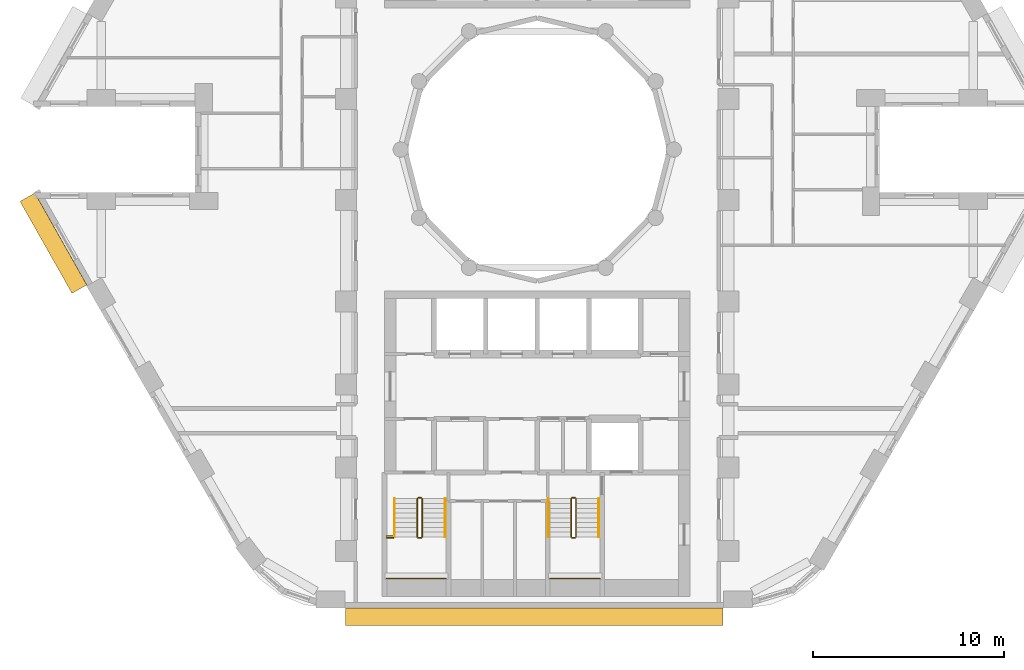
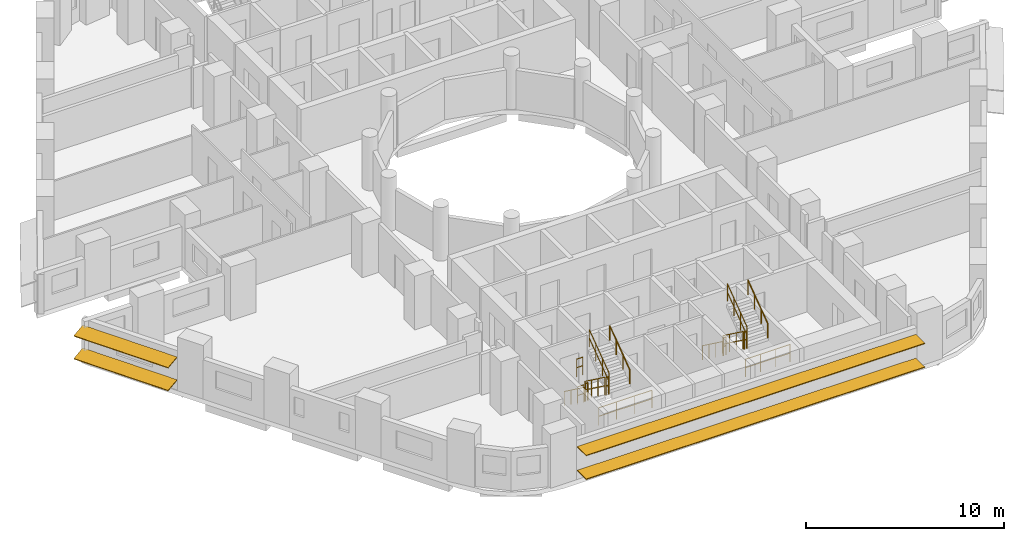
# One storey, part 11 of 13: 16 railings, 4 shading devices.
"""IFC4 building model written with IfcOpenShell, lengths in metres."""

from ifc_helpers import new_model, si_unit, direction, frame, origin, origin_2d, place, context, subcontext, project, spatial, rectangle, circle, extrude, material, material_profile, profile_set, type_object, element, save


model = new_model("IFC4")

# Units and contexts
model_context = context("Model", 3, precision=1e-05, world=origin(), true_north=direction((0.0, 1.0)))
body_context = subcontext(model_context, "Body", "Model", "MODEL_VIEW")
ifc_project = project(units=[si_unit("LENGTHUNIT", "METRE"), si_unit("AREAUNIT", "SQUARE_METRE"), si_unit("VOLUMEUNIT", "CUBIC_METRE"), si_unit("PLANEANGLEUNIT", "RADIAN"), si_unit("MASSUNIT", "GRAM", prefix="KILO")], contexts=[model_context])

# Site, building, storey
site_placement = place(None, origin())
site = spatial("IfcSite", under=ifc_project, at=site_placement, CompositionType="ELEMENT")
building_placement = place(site_placement, origin())
building = spatial("IfcBuilding", under=site, at=building_placement, Name="Nakaniwa Court", CompositionType="ELEMENT")
storey_placement = place(building_placement, frame((0.0, 0.0, 64.5)))
storey = spatial("IfcBuildingStorey", under=building, at=storey_placement, Name="L17", CompositionType="ELEMENT", Elevation=64.5)

# Shading devices
ifc_material_1 = material(Name="Perforated charcoal ceramic louvre blade")
ifc_material_profile = material_profile(ifc_material_1, rectangle(XDim=0.89990234375, YDim=0.050048828125, at=origin_2d()), Name="Perforated ceramic louvre blade")
ifc_profile_set = profile_set([ifc_material_profile], Name="Perforated charcoal ceramic louvre blade")
shading_device_type = type_object("IfcShadingDeviceType", Name="Perforated ceramic louvre blade", PredefinedType="JALOUSIE", material=ifc_profile_set)
for number, where, z_axis, x_axis, name in (
    (1, (53.31689453125, 77.508056640625, 0.550048828125), (0.492342539441, -0.870401530247, 0.0), (0.86275552304, 0.488017576221, 0.132256390257), "L17 perforated ceramic louvre blade w20 1"),
    (2, (53.31689453125, 77.508056640625, 1.955810546875), (0.492342539441, -0.870401530247, 0.0), (0.86275552304, 0.488017576221, 0.132256390257), "L17 perforated ceramic louvre blade w20 2"),
):
    element("IfcShadingDevice", number, at=place(storey_placement, frame(where, z_axis=z_axis, x_axis=x_axis)), inside=storey, type_object=shading_device_type, Name=name, PredefinedType="JALOUSIE", context=body_context, shape_type="SweptSolid", body=[
        extrude(rectangle(XDim=0.89990234375, YDim=0.050048828125, at=origin_2d()), origin(), (0.0, 0.0, 1.0), 5.526611328125),
    ])
for number, where, z_axis, x_axis, name in (
    (3, (69.97119140625, 55.550048828125, 0.550048828125), (1.0, 0.0, 0.0), (0.0, 1.0, 0.0), "L17 perforated ceramic louvre blade w26 1"),
    (4, (69.97119140625, 55.550048828125, 2.014892578125), (1.0, 0.0, 0.0), (0.0, 1.0, 0.0), "L17 perforated ceramic louvre blade w26 2"),
):
    element("IfcShadingDevice", number, at=place(storey_placement, frame(where, z_axis=z_axis, x_axis=x_axis)), inside=storey, type_object=shading_device_type, Name=name, PredefinedType="JALOUSIE", context=body_context, shape_type="SweptSolid", body=[
        extrude(rectangle(XDim=0.89990234375, YDim=0.050048828125, at=origin_2d()), origin(), (0.0, 0.0, 1.0), 19.739990234375),
    ])

# Railings
ifc_material_2 = material(Name="Black powder coated steel guard", Category="steel")
railing_type_1 = type_object("IfcRailingType", Name="Stair guard 1100", PredefinedType="GUARDRAIL", material=ifc_material_2)
railing_1_placement = place(storey_placement, frame((73.72509765625, 61.72509765625, 0.183349609375)))
element("IfcRailing", 5, at=railing_1_placement, inside=storey, type_object=railing_type_1, Name="L17 ST3 stair guard 1", PredefinedType="GUARDRAIL", context=body_context, shape_type="SweptSolid", body=[
    extrude(circle(Radius=0.02392578125, at=origin_2d()), frame((0.0, 0.0, 1.076171875), z_axis=(0.0, -0.806426902644, 0.591333789573), x_axis=(1.0, 0.0, 0.0)), (0.0, 0.0, 1.0), 2.47998046875),
    extrude(circle(Radius=0.02392578125, at=origin_2d()), frame((0.0, 0.0, 0.550048828125), z_axis=(0.0, -0.806426902644, 0.591333789573), x_axis=(1.0, 0.0, 0.0)), (0.0, 0.0, 1.0), 2.47998046875),
    extrude(circle(Radius=0.02099609375, at=origin_2d()), origin(), (0.0, 0.0, 1.0), 1.052001953125),
    extrude(circle(Radius=0.02099609375, at=origin_2d()), frame((0.0, -0.666748046875, 0.48876953125)), (0.0, 0.0, 1.0), 1.052001953125),
    extrude(circle(Radius=0.02099609375, at=origin_2d()), frame((0.0, -1.333251953125, 0.977783203125)), (0.0, 0.0, 1.0), 1.052001953125),
    extrude(circle(Radius=0.02099609375, at=origin_2d()), frame((0.0, -2.0, 1.466552734375)), (0.0, 0.0, 1.0), 1.052001953125),
])
railing_2_placement = place(storey_placement, frame((73.77490234375, 59.675048828125, 1.64990234375)))
element("IfcRailing", 6, at=railing_2_placement, inside=storey, type_object=railing_type_1, Name="L17 ST3 stair guard 2", PredefinedType="GUARDRAIL", context=body_context, shape_type="SweptSolid", body=[
    extrude(circle(Radius=0.02392578125, at=origin_2d()), frame((0.0, 0.0, 1.076171875), z_axis=(1.0, 0.0, 0.0), x_axis=(0.0, 1.0, 0.0)), (0.0, 0.0, 1.0), 0.150146484375),
    extrude(circle(Radius=0.02392578125, at=origin_2d()), frame((0.0, 0.0, 0.550048828125), z_axis=(1.0, 0.0, 0.0), x_axis=(0.0, 1.0, 0.0)), (0.0, 0.0, 1.0), 0.150146484375),
    extrude(circle(Radius=0.02099609375, at=origin_2d()), origin(), (0.0, 0.0, 1.0), 1.052001953125),
    extrude(circle(Radius=0.02099609375, at=origin_2d()), frame((0.150146484375, 0.0, 0.0)), (0.0, 0.0, 1.0), 1.052001953125),
])
railing_3_placement = place(storey_placement, frame((73.97509765625, 59.72509765625, 1.833251953125)))
element("IfcRailing", 7, at=railing_3_placement, inside=storey, type_object=railing_type_1, Name="L17 ST3 stair guard 3", PredefinedType="GUARDRAIL", context=body_context, shape_type="SweptSolid", body=[
    extrude(circle(Radius=0.02392578125, at=origin_2d()), frame((0.0, 0.0, 1.076171875), z_axis=(0.0, 0.806379959628, 0.591397802423), x_axis=(-1.0, 0.0, 0.0)), (0.0, 0.0, 1.0), 2.480224609375),
    extrude(circle(Radius=0.02392578125, at=origin_2d()), frame((0.0, 0.0, 0.550048828125), z_axis=(0.0, 0.806379959628, 0.591397802423), x_axis=(-1.0, 0.0, 0.0)), (0.0, 0.0, 1.0), 2.480224609375),
    extrude(circle(Radius=0.02099609375, at=origin_2d()), origin(), (0.0, 0.0, 1.0), 1.052001953125),
    extrude(circle(Radius=0.02099609375, at=origin_2d()), frame((0.0, 0.666748046875, 0.489013671875)), (0.0, 0.0, 1.0), 1.052001953125),
    extrude(circle(Radius=0.02099609375, at=origin_2d()), frame((0.0, 1.333251953125, 0.977783203125)), (0.0, 0.0, 1.0), 1.052001953125),
    extrude(circle(Radius=0.02099609375, at=origin_2d()), frame((0.0, 2.0, 1.466796875)), (0.0, 0.0, 1.0), 1.052001953125),
])
railing_4_placement = place(storey_placement, frame((73.77490234375, 61.77490234375, 0.0)))
element("IfcRailing", 8, at=railing_4_placement, inside=storey, type_object=railing_type_1, Name="L17 ST3 stair guard 4", PredefinedType="GUARDRAIL", context=body_context, shape_type="SweptSolid", body=[
    extrude(circle(Radius=0.02392578125, at=origin_2d()), frame((0.0, 0.0, 1.076171875), z_axis=(1.0, 0.0, 0.0), x_axis=(0.0, 1.0, 0.0)), (0.0, 0.0, 1.0), 0.150146484375),
    extrude(circle(Radius=0.02392578125, at=origin_2d()), frame((0.0, 0.0, 0.550048828125), z_axis=(1.0, 0.0, 0.0), x_axis=(0.0, 1.0, 0.0)), (0.0, 0.0, 1.0), 0.150146484375),
    extrude(circle(Radius=0.02099609375, at=origin_2d()), origin(), (0.0, 0.0, 1.0), 1.052001953125),
    extrude(circle(Radius=0.02099609375, at=origin_2d()), frame((0.150146484375, 0.0, 0.0)), (0.0, 0.0, 1.0), 1.052001953125),
])
railing_5_placement = place(storey_placement, frame((72.125, 57.550048828125, 1.64990234375)))
element("IfcRailing", 9, at=railing_5_placement, inside=storey, type_object=railing_type_1, Name="L17 ST3 landing end guard 1", PredefinedType="GUARDRAIL", context=body_context, shape_type="SweptSolid", body=[
    extrude(circle(Radius=0.02392578125, at=origin_2d()), frame((0.0, 0.0, 1.076171875), z_axis=(1.0, 0.0, 0.0), x_axis=(0.0, 1.0, 0.0)), (0.0, 0.0, 1.0), 3.10009765625),
    extrude(circle(Radius=0.02392578125, at=origin_2d()), frame((0.0, 0.0, 0.550048828125), z_axis=(1.0, 0.0, 0.0), x_axis=(0.0, 1.0, 0.0)), (0.0, 0.0, 1.0), 3.10009765625),
    extrude(circle(Radius=0.02099609375, at=origin_2d()), origin(), (0.0, 0.0, 1.0), 1.052001953125),
    extrude(circle(Radius=0.02099609375, at=origin_2d()), frame((1.033447265625, 0.0, 0.0)), (0.0, 0.0, 1.0), 1.052001953125),
    extrude(circle(Radius=0.02099609375, at=origin_2d()), frame((2.066650390625, 0.0, 0.0)), (0.0, 0.0, 1.0), 1.052001953125),
    extrude(circle(Radius=0.02099609375, at=origin_2d()), frame((3.10009765625, 0.0, 0.0)), (0.0, 0.0, 1.0), 1.052001953125),
])
for number, where, name in (
    (10, (72.125, 59.675048828125, 1.64990234375), "L17 ST3 landing side guard 1W"),
    (11, (72.125, 59.77490234375, 3.300048828125), "L17 ST3 floor edge guard 1W"),
):
    element("IfcRailing", number, at=place(storey_placement, frame(where)), inside=storey, type_object=railing_type_1, Name=name, PredefinedType="GUARDRAIL", context=body_context, shape_type="SweptSolid", body=[
        extrude(circle(Radius=0.02392578125, at=origin_2d()), frame((0.0, 0.0, 1.076171875), z_axis=(1.0, 0.0, 0.0), x_axis=(0.0, 1.0, 0.0)), (0.0, 0.0, 1.0), 0.35009765625),
        extrude(circle(Radius=0.02392578125, at=origin_2d()), frame((0.0, 0.0, 0.550048828125), z_axis=(1.0, 0.0, 0.0), x_axis=(0.0, 1.0, 0.0)), (0.0, 0.0, 1.0), 0.35009765625),
        extrude(circle(Radius=0.02099609375, at=origin_2d()), origin(), (0.0, 0.0, 1.0), 1.052001953125),
        extrude(circle(Radius=0.02099609375, at=origin_2d()), frame((0.35009765625, 0.0, 0.0)), (0.0, 0.0, 1.0), 1.052001953125),
    ])
railing_6_placement = place(storey_placement, frame((81.77490234375, 61.72509765625, 0.183349609375)))
element("IfcRailing", 12, at=railing_6_placement, inside=storey, type_object=railing_type_1, Name="L17 ST4 stair guard 1", PredefinedType="GUARDRAIL", context=body_context, shape_type="SweptSolid", body=[
    extrude(circle(Radius=0.02392578125, at=origin_2d()), frame((0.0, 0.0, 1.076171875), z_axis=(0.0, -0.806426902644, 0.591333789573), x_axis=(1.0, 0.0, 0.0)), (0.0, 0.0, 1.0), 2.47998046875),
    extrude(circle(Radius=0.02392578125, at=origin_2d()), frame((0.0, 0.0, 0.550048828125), z_axis=(0.0, -0.806426902644, 0.591333789573), x_axis=(1.0, 0.0, 0.0)), (0.0, 0.0, 1.0), 2.47998046875),
    extrude(circle(Radius=0.02099609375, at=origin_2d()), origin(), (0.0, 0.0, 1.0), 1.052001953125),
    extrude(circle(Radius=0.02099609375, at=origin_2d()), frame((0.0, -0.666748046875, 0.48876953125)), (0.0, 0.0, 1.0), 1.052001953125),
    extrude(circle(Radius=0.02099609375, at=origin_2d()), frame((0.0, -1.333251953125, 0.977783203125)), (0.0, 0.0, 1.0), 1.052001953125),
    extrude(circle(Radius=0.02099609375, at=origin_2d()), frame((0.0, -2.0, 1.466552734375)), (0.0, 0.0, 1.0), 1.052001953125),
])
railing_7_placement = place(storey_placement, frame((81.824951171875, 59.675048828125, 1.64990234375)))
element("IfcRailing", 13, at=railing_7_placement, inside=storey, type_object=railing_type_1, Name="L17 ST4 stair guard 2", PredefinedType="GUARDRAIL", context=body_context, shape_type="SweptSolid", body=[
    extrude(circle(Radius=0.02392578125, at=origin_2d()), frame((0.0, 0.0, 1.076171875), z_axis=(1.0, 0.0, 0.0), x_axis=(0.0, 1.0, 0.0)), (0.0, 0.0, 1.0), 0.150146484375),
    extrude(circle(Radius=0.02392578125, at=origin_2d()), frame((0.0, 0.0, 0.550048828125), z_axis=(1.0, 0.0, 0.0), x_axis=(0.0, 1.0, 0.0)), (0.0, 0.0, 1.0), 0.150146484375),
    extrude(circle(Radius=0.02099609375, at=origin_2d()), origin(), (0.0, 0.0, 1.0), 1.052001953125),
    extrude(circle(Radius=0.02099609375, at=origin_2d()), frame((0.150146484375, 0.0, 0.0)), (0.0, 0.0, 1.0), 1.052001953125),
])
railing_8_placement = place(storey_placement, frame((82.02490234375, 59.72509765625, 1.833251953125)))
element("IfcRailing", 14, at=railing_8_placement, inside=storey, type_object=railing_type_1, Name="L17 ST4 stair guard 3", PredefinedType="GUARDRAIL", context=body_context, shape_type="SweptSolid", body=[
    extrude(circle(Radius=0.02392578125, at=origin_2d()), frame((0.0, 0.0, 1.076171875), z_axis=(0.0, 0.806379959628, 0.591397802423), x_axis=(-1.0, 0.0, 0.0)), (0.0, 0.0, 1.0), 2.480224609375),
    extrude(circle(Radius=0.02392578125, at=origin_2d()), frame((0.0, 0.0, 0.550048828125), z_axis=(0.0, 0.806379959628, 0.591397802423), x_axis=(-1.0, 0.0, 0.0)), (0.0, 0.0, 1.0), 2.480224609375),
    extrude(circle(Radius=0.02099609375, at=origin_2d()), origin(), (0.0, 0.0, 1.0), 1.052001953125),
    extrude(circle(Radius=0.02099609375, at=origin_2d()), frame((0.0, 0.666748046875, 0.489013671875)), (0.0, 0.0, 1.0), 1.052001953125),
    extrude(circle(Radius=0.02099609375, at=origin_2d()), frame((0.0, 1.333251953125, 0.977783203125)), (0.0, 0.0, 1.0), 1.052001953125),
    extrude(circle(Radius=0.02099609375, at=origin_2d()), frame((0.0, 2.0, 1.466796875)), (0.0, 0.0, 1.0), 1.052001953125),
])
railing_9_placement = place(storey_placement, frame((81.824951171875, 61.77490234375, 0.0)))
element("IfcRailing", 15, at=railing_9_placement, inside=storey, type_object=railing_type_1, Name="L17 ST4 stair guard 4", PredefinedType="GUARDRAIL", context=body_context, shape_type="SweptSolid", body=[
    extrude(circle(Radius=0.02392578125, at=origin_2d()), frame((0.0, 0.0, 1.076171875), z_axis=(1.0, 0.0, 0.0), x_axis=(0.0, 1.0, 0.0)), (0.0, 0.0, 1.0), 0.150146484375),
    extrude(circle(Radius=0.02392578125, at=origin_2d()), frame((0.0, 0.0, 0.550048828125), z_axis=(1.0, 0.0, 0.0), x_axis=(0.0, 1.0, 0.0)), (0.0, 0.0, 1.0), 0.150146484375),
    extrude(circle(Radius=0.02099609375, at=origin_2d()), origin(), (0.0, 0.0, 1.0), 1.052001953125),
    extrude(circle(Radius=0.02099609375, at=origin_2d()), frame((0.150146484375, 0.0, 0.0)), (0.0, 0.0, 1.0), 1.052001953125),
])
railing_10_placement = place(storey_placement, frame((80.675048828125, 57.550048828125, 1.64990234375)))
element("IfcRailing", 16, at=railing_10_placement, inside=storey, type_object=railing_type_1, Name="L17 ST4 landing end guard 1", PredefinedType="GUARDRAIL", context=body_context, shape_type="SweptSolid", body=[
    extrude(circle(Radius=0.02392578125, at=origin_2d()), frame((0.0, 0.0, 1.076171875), z_axis=(1.0, 0.0, 0.0), x_axis=(0.0, 1.0, 0.0)), (0.0, 0.0, 1.0), 2.599853515625),
    extrude(circle(Radius=0.02392578125, at=origin_2d()), frame((0.0, 0.0, 0.550048828125), z_axis=(1.0, 0.0, 0.0), x_axis=(0.0, 1.0, 0.0)), (0.0, 0.0, 1.0), 2.599853515625),
    extrude(circle(Radius=0.02099609375, at=origin_2d()), origin(), (0.0, 0.0, 1.0), 1.052001953125),
    extrude(circle(Radius=0.02099609375, at=origin_2d()), frame((0.86669921875, 0.0, 0.0)), (0.0, 0.0, 1.0), 1.052001953125),
    extrude(circle(Radius=0.02099609375, at=origin_2d()), frame((1.733154296875, 0.0, 0.0)), (0.0, 0.0, 1.0), 1.052001953125),
    extrude(circle(Radius=0.02099609375, at=origin_2d()), frame((2.599853515625, 0.0, 0.0)), (0.0, 0.0, 1.0), 1.052001953125),
])
ifc_material_3 = material(Name="Black powder coated steel handrail", Category="steel")
railing_type_2 = type_object("IfcRailingType", Name="Stair handrail 900", PredefinedType="HANDRAIL", material=ifc_material_3)
railing_11_placement = place(storey_placement, frame((72.52490234375, 61.72509765625, 0.183349609375)))
element("IfcRailing", 17, at=railing_11_placement, inside=storey, type_object=railing_type_2, Name="L17 ST3 stair handrail 1", PredefinedType="HANDRAIL", context=body_context, shape_type="SweptSolid", body=[
    extrude(circle(Radius=0.02392578125, at=origin_2d()), frame((0.0, 0.0, 0.8759765625), z_axis=(0.0, -0.806426902644, 0.591333789573), x_axis=(1.0, 0.0, 0.0)), (0.0, 0.0, 1.0), 2.47998046875),
    extrude(circle(Radius=0.02099609375, at=origin_2d()), origin(), (0.0, 0.0, 1.0), 0.851806640625),
    extrude(circle(Radius=0.02099609375, at=origin_2d()), frame((0.0, -0.666748046875, 0.48876953125)), (0.0, 0.0, 1.0), 0.851806640625),
    extrude(circle(Radius=0.02099609375, at=origin_2d()), frame((0.0, -1.333251953125, 0.977783203125)), (0.0, 0.0, 1.0), 0.851806640625),
    extrude(circle(Radius=0.02099609375, at=origin_2d()), frame((0.0, -2.0, 1.466552734375)), (0.0, 0.0, 1.0), 0.851806640625),
])
railing_12_placement = place(storey_placement, frame((75.175048828125, 59.72509765625, 1.833251953125)))
element("IfcRailing", 18, at=railing_12_placement, inside=storey, type_object=railing_type_2, Name="L17 ST3 stair handrail 2", PredefinedType="HANDRAIL", context=body_context, shape_type="SweptSolid", body=[
    extrude(circle(Radius=0.02392578125, at=origin_2d()), frame((0.0, 0.0, 0.8759765625), z_axis=(0.0, 0.806379959628, 0.591397802423), x_axis=(-1.0, 0.0, 0.0)), (0.0, 0.0, 1.0), 2.480224609375),
    extrude(circle(Radius=0.02099609375, at=origin_2d()), origin(), (0.0, 0.0, 1.0), 0.851806640625),
    extrude(circle(Radius=0.02099609375, at=origin_2d()), frame((0.0, 0.666748046875, 0.489013671875)), (0.0, 0.0, 1.0), 0.851806640625),
    extrude(circle(Radius=0.02099609375, at=origin_2d()), frame((0.0, 1.333251953125, 0.977783203125)), (0.0, 0.0, 1.0), 0.851806640625),
    extrude(circle(Radius=0.02099609375, at=origin_2d()), frame((0.0, 2.0, 1.466796875)), (0.0, 0.0, 1.0), 0.851806640625),
])
railing_13_placement = place(storey_placement, frame((80.574951171875, 61.72509765625, 0.183349609375)))
element("IfcRailing", 19, at=railing_13_placement, inside=storey, type_object=railing_type_2, Name="L17 ST4 stair handrail 1", PredefinedType="HANDRAIL", context=body_context, shape_type="SweptSolid", body=[
    extrude(circle(Radius=0.02392578125, at=origin_2d()), frame((0.0, 0.0, 0.8759765625), z_axis=(0.0, -0.806426902644, 0.591333789573), x_axis=(1.0, 0.0, 0.0)), (0.0, 0.0, 1.0), 2.47998046875),
    extrude(circle(Radius=0.02099609375, at=origin_2d()), origin(), (0.0, 0.0, 1.0), 0.851806640625),
    extrude(circle(Radius=0.02099609375, at=origin_2d()), frame((0.0, -0.666748046875, 0.48876953125)), (0.0, 0.0, 1.0), 0.851806640625),
    extrude(circle(Radius=0.02099609375, at=origin_2d()), frame((0.0, -1.333251953125, 0.977783203125)), (0.0, 0.0, 1.0), 0.851806640625),
    extrude(circle(Radius=0.02099609375, at=origin_2d()), frame((0.0, -2.0, 1.466552734375)), (0.0, 0.0, 1.0), 0.851806640625),
])
railing_14_placement = place(storey_placement, frame((83.22509765625, 59.72509765625, 1.833251953125)))
element("IfcRailing", 20, at=railing_14_placement, inside=storey, type_object=railing_type_2, Name="L17 ST4 stair handrail 2", PredefinedType="HANDRAIL", context=body_context, shape_type="SweptSolid", body=[
    extrude(circle(Radius=0.02392578125, at=origin_2d()), frame((0.0, 0.0, 0.8759765625), z_axis=(0.0, 0.806379959628, 0.591397802423), x_axis=(-1.0, 0.0, 0.0)), (0.0, 0.0, 1.0), 2.480224609375),
    extrude(circle(Radius=0.02099609375, at=origin_2d()), origin(), (0.0, 0.0, 1.0), 0.851806640625),
    extrude(circle(Radius=0.02099609375, at=origin_2d()), frame((0.0, 0.666748046875, 0.489013671875)), (0.0, 0.0, 1.0), 0.851806640625),
    extrude(circle(Radius=0.02099609375, at=origin_2d()), frame((0.0, 1.333251953125, 0.977783203125)), (0.0, 0.0, 1.0), 0.851806640625),
    extrude(circle(Radius=0.02099609375, at=origin_2d()), frame((0.0, 2.0, 1.466796875)), (0.0, 0.0, 1.0), 0.851806640625),
])

save(model, "model.ifc")
